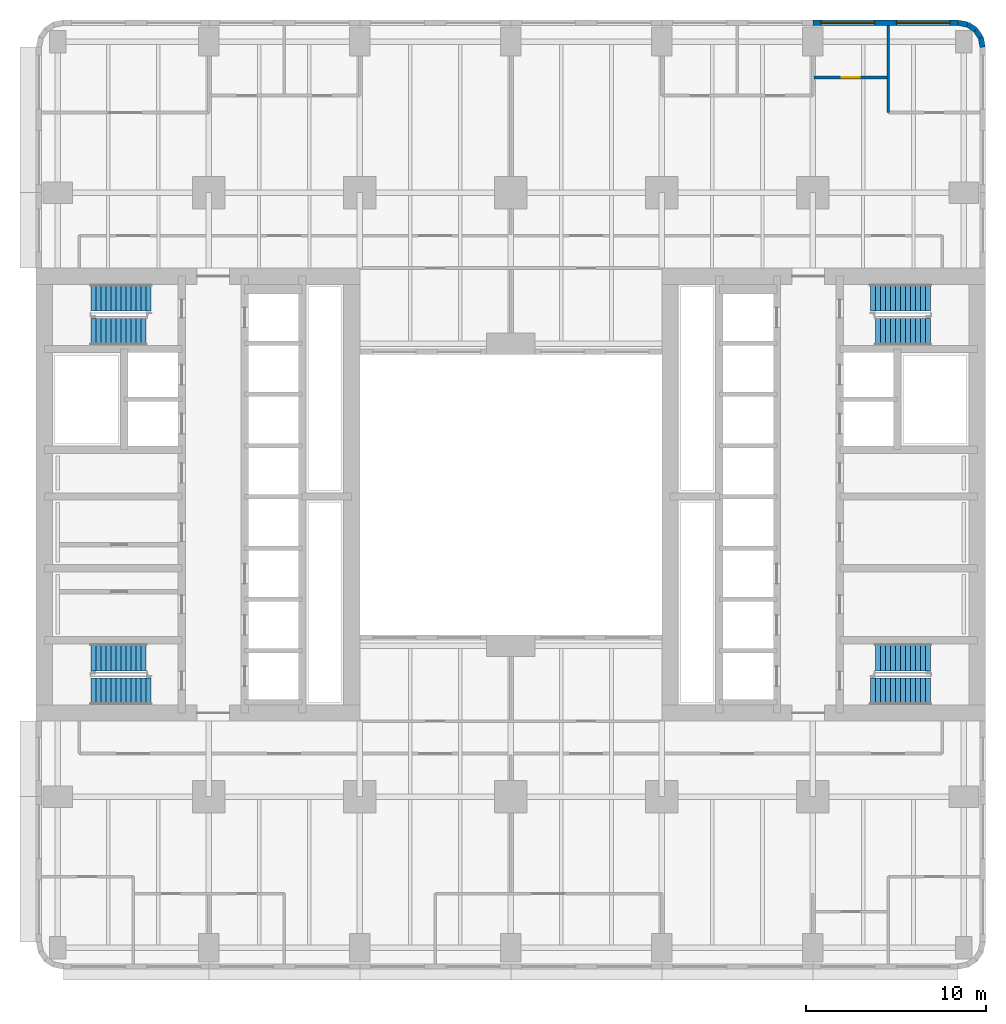
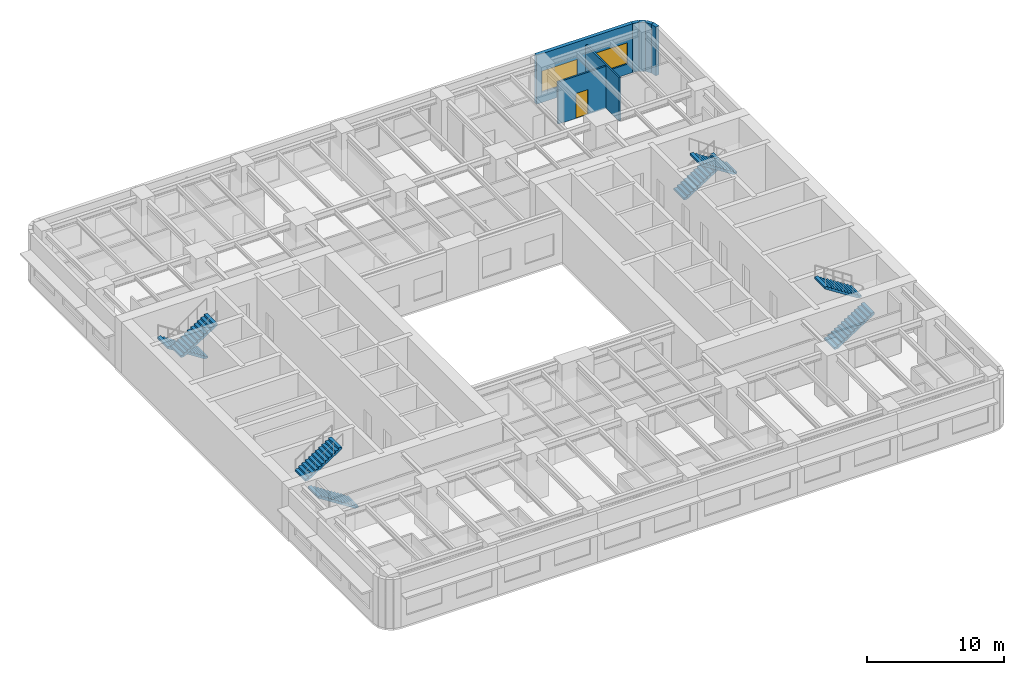
# One storey, part 8 of 12: 8 stair flights, 7 walls, 2 windows, 1 door, 3 openings, 4 elements without a shape of their own.
"""IFC4 building model written with IfcOpenShell, lengths in metres."""

from ifc_helpers import new_model, si_unit, direction, frame, frame_2d, origin, place, context, subcontext, project, spatial, polyline, rectangle, outline, extrude, material, layer, layer_set, type_object, element, fill, aggregate, save


model = new_model("IFC4")

# Units and contexts
model_context = context("Model", 3, precision=1e-05, world=origin(), true_north=direction((0.0, 1.0)))
body_context = subcontext(model_context, "Body", "Model", "MODEL_VIEW")
ifc_project = project(units=[si_unit("LENGTHUNIT", "METRE"), si_unit("AREAUNIT", "SQUARE_METRE"), si_unit("VOLUMEUNIT", "CUBIC_METRE"), si_unit("PLANEANGLEUNIT", "RADIAN"), si_unit("MASSUNIT", "GRAM", prefix="KILO")], contexts=[model_context])

# Site, building, storey
site_placement = place(None, origin())
site = spatial("IfcSite", under=ifc_project, at=site_placement, CompositionType="ELEMENT")
building_placement = place(site_placement, origin())
building = spatial("IfcBuilding", under=site, at=building_placement, Name="Claustro Exchange Tower", CompositionType="ELEMENT")
storey_placement = place(building_placement, frame((0.0, 0.0, 50.39990234375)))
storey = spatial("IfcBuildingStorey", under=building, at=storey_placement, Name="L11", CompositionType="ELEMENT", Elevation=50.39990234375)

# Wall, opening, door
ifc_material_1 = material(Name="Gypsum board on steel studs", Category="steel")
ifc_layer_1 = layer(ifc_material_1, 0.14990234375)
ifc_layer_set_1 = layer_set([ifc_layer_1], Name="Gypsum board on steel studs")
wall_type_1 = type_object("IfcWallType", Name="P1 150 plasterboard partition", PredefinedType="PARTITIONING", material=ifc_layer_set_1)
wall_1_placement = place(storey_placement, frame((42.073974609375, 48.39990234375, 0.0), z_axis=(0.0, 0.0, 1.0), x_axis=(1.0, 0.0, 0.0)))
wall_1 = element("IfcWall", 1, at=wall_1_placement, inside=storey, type_object=wall_type_1, Name="Partition P1 L11", PredefinedType="PARTITIONING", context=body_context, shape_type="SweptSolid", body=[
    extrude(rectangle(XDim=4.052001953125, YDim=0.14990234375, at=frame_2d((2.02587890625, 0.0))), origin(), (0.0, 0.0, 1.0), 3.739990234375),
])
opening_1_placement = place(wall_1_placement, frame((1.52587890625, 0.0, 0.0)))
opening_1 = element("IfcOpeningElement", 2, at=opening_1_placement, cuts=wall_1, Name="Opening D1", PredefinedType="OPENING", context=body_context, shape_type="SweptSolid", body=[
    extrude(rectangle(XDim=1.0, YDim=2.199951171875, at=frame_2d((0.5, 1.10009765625))), frame((0.0, 0.0849609375, 0.0), z_axis=(0.0, -1.0, 0.0), x_axis=(1.0, 0.0, 0.0)), (0.0, 0.0, 1.0), 0.169921875),
])
ifc_material_2 = material(Name="Timber door, oak veneer", Category="wood")
door_type = type_object("IfcDoorType", Name="D1 1000 x 2200 single door", OperationType="SINGLE_SWING_LEFT", PredefinedType="DOOR", material=ifc_material_2)
door_placement = place(opening_1_placement, origin())
door = element("IfcDoor", 3, at=door_placement, inside=storey, type_object=door_type, Name="Door D1 L11", OperationType="SINGLE_SWING_LEFT", OverallHeight=2.199951171875, OverallWidth=1.0, PredefinedType="DOOR", context=body_context, shape_type="SweptSolid", body=[
    extrude(rectangle(XDim=1.0, YDim=2.199951171875, at=frame_2d((0.5, 1.10009765625))), frame((0.0, 0.02490234375, 0.0), z_axis=(0.0, -1.0, 0.0), x_axis=(1.0, 0.0, 0.0)), (0.0, 0.0, 1.0), 0.050048828125),
])
fill(opening_1, door)

# Wall
wall_2_placement = place(storey_placement, frame((46.199951171875, 46.449951171875, 0.0), z_axis=(0.0, 0.0, 1.0), x_axis=(0.0, 1.0, 0.0)))
element("IfcWall", 4, at=wall_2_placement, inside=storey, type_object=wall_type_1, Name="Partition P1 L11", PredefinedType="PARTITIONING", context=body_context, shape_type="SweptSolid", body=[
    extrude(rectangle(XDim=4.85205078125, YDim=0.14990234375, at=frame_2d((2.426025390625, 0.0))), origin(), (0.0, 0.0, 1.0), 3.840087890625),
])

# Wall, openings, windows
ifc_material_3 = material(Name="Concrete HA-40 (C40/50), precast, white cement, acid-etched", Category="concrete")
ifc_layer_2 = layer(ifc_material_3, 0.300048828125)
ifc_layer_set_2 = layer_set([ifc_layer_2], Name="Concrete HA-40 (C40/50), precast, white cement, acid-etched")
wall_type_2 = type_object("IfcWallType", Name="PC1 300 precast concrete pier panel", PredefinedType="SOLIDWALL", material=ifc_layer_set_2)
wall_3_placement = place(storey_placement, frame((42.0, 51.449951171875, 0.0), z_axis=(0.0, 0.0, 1.0), x_axis=(1.0, 0.0, 0.0)))
wall_3 = element("IfcWall", 5, at=wall_3_placement, inside=storey, type_object=wall_type_2, Name="Precast pier panel PC1 L11", PredefinedType="SOLIDWALL", context=body_context, shape_type="SweptSolid", body=[
    extrude(rectangle(XDim=8.085205078125, YDim=0.300048828125, at=frame_2d((4.04248046875, 0.0))), origin(), (0.0, 0.0, 1.0), 4.340087890625),
])
opening_2_placement = place(wall_3_placement, frame((0.442626953125, 0.0, 0.89990234375)))
opening_2 = element("IfcOpeningElement", 6, at=opening_2_placement, cuts=wall_3, Name="Opening W1", PredefinedType="OPENING", context=body_context, shape_type="SweptSolid", body=[
    extrude(rectangle(XDim=3.0, YDim=1.89990234375, at=frame_2d((1.5, 0.949951171875))), frame((0.0, 0.159912109375, 0.0), z_axis=(0.0, -1.0, 0.0), x_axis=(1.0, 0.0, 0.0)), (0.0, 0.0, 1.0), 0.320068359375),
])
opening_3_placement = place(wall_3_placement, frame((4.642578125, 0.0, 0.89990234375)))
opening_3 = element("IfcOpeningElement", 7, at=opening_3_placement, cuts=wall_3, Name="Opening W1", PredefinedType="OPENING", context=body_context, shape_type="SweptSolid", body=[
    extrude(rectangle(XDim=3.0, YDim=1.89990234375, at=frame_2d((1.5, 0.949951171875))), frame((0.0, 0.159912109375, 0.0), z_axis=(0.0, -1.0, 0.0), x_axis=(1.0, 0.0, 0.0)), (0.0, 0.0, 1.0), 0.320068359375),
])
ifc_material_4 = material(Name="Aluminium frame, clear double glazing", Category="aluminium")
window_type = type_object("IfcWindowType", Name="W1 3000 x 1900 window", PartitioningType="SINGLE_PANEL", PredefinedType="WINDOW", material=ifc_material_4)
window_1_placement = place(opening_2_placement, origin())
window_1 = element("IfcWindow", 8, at=window_1_placement, inside=storey, type_object=window_type, Name="Window W1 L11", OverallHeight=1.89990234375, OverallWidth=3.0, PartitioningType="SINGLE_PANEL", PredefinedType="WINDOW", context=body_context, shape_type="SweptSolid", body=[
    extrude(rectangle(XDim=3.0, YDim=1.89990234375, at=frame_2d((1.5, 0.949951171875))), frame((0.0, 0.030029296875, 0.0), z_axis=(0.0, -1.0, 0.0), x_axis=(1.0, 0.0, 0.0)), (0.0, 0.0, 1.0), 0.06005859375),
])
fill(opening_2, window_1)
window_2_placement = place(opening_3_placement, origin())
window_2 = element("IfcWindow", 9, at=window_2_placement, inside=storey, type_object=window_type, Name="Window W1 L11", OverallHeight=1.89990234375, OverallWidth=3.0, PartitioningType="SINGLE_PANEL", PredefinedType="WINDOW", context=body_context, shape_type="SweptSolid", body=[
    extrude(rectangle(XDim=3.0, YDim=1.89990234375, at=frame_2d((1.5, 0.949951171875))), frame((0.0, 0.030029296875, 0.0), z_axis=(0.0, -1.0, 0.0), x_axis=(1.0, 0.0, 0.0)), (0.0, 0.0, 1.0), 0.06005859375),
])
fill(opening_3, window_2)

# Walls
wall_4_placement = place(storey_placement, frame((50.085205078125, 51.449951171875, 0.0), z_axis=(0.0, 0.0, 1.0), x_axis=(0.980788534345, -0.195073962632, 0.0)))
element("IfcWall", 10, at=wall_4_placement, inside=storey, type_object=wall_type_2, Name="Precast pier panel PC1 L11", PredefinedType="SOLIDWALL", context=body_context, shape_type="SweptSolid", body=[
    extrude(rectangle(XDim=0.540771484375, YDim=0.300048828125, at=frame_2d((0.2705078125, 0.0))), origin(), (0.0, 0.0, 1.0), 4.340087890625),
])
for number, where, z_axis, x_axis, name in (
    (11, (50.615478515625, 51.344482421875, 0.0), (0.0, 0.0, 1.0), (0.831478144188, -0.555557463938, 0.0), "Precast pier panel PC1 L11"),
    (12, (51.052490234375, 51.052490234375, 0.0), (0.0, 0.0, 1.0), (0.555557463938, -0.831478144188, 0.0), "Precast pier panel PC1 L11"),
):
    element("IfcWall", number, at=place(storey_placement, frame(where, z_axis=z_axis, x_axis=x_axis)), inside=storey, type_object=wall_type_2, Name=name, PredefinedType="SOLIDWALL", context=body_context, shape_type="SweptSolid", body=[
        extrude(rectangle(XDim=0.525634765625, YDim=0.300048828125, at=frame_2d((0.2626953125, 0.0))), origin(), (0.0, 0.0, 1.0), 4.340087890625),
    ])
wall_5_placement = place(storey_placement, frame((51.344482421875, 50.615478515625, 0.0), z_axis=(0.0, 0.0, 1.0), x_axis=(0.195073962632, -0.980788534345, 0.0)))
element("IfcWall", 13, at=wall_5_placement, inside=storey, type_object=wall_type_2, Name="Precast pier panel PC1 L11", PredefinedType="SOLIDWALL", context=body_context, shape_type="SweptSolid", body=[
    extrude(rectangle(XDim=0.540771484375, YDim=0.300048828125, at=frame_2d((0.2705078125, 0.0))), origin(), (0.0, 0.0, 1.0), 4.340087890625),
])

# Stair, stair flight
ifc_material_5 = material(Name="Concrete HA-30 (C30/37), precast", Category="concrete")
stair_type = type_object("IfcStairType", Name="ST2 half-turn stair, 25 risers of 180", PredefinedType="HALF_TURN_STAIR", material=ifc_material_5)
stair_1_placement = place(storey_placement, origin())
stair_1 = element("IfcStair", 14, at=stair_1_placement, inside=storey, type_object=stair_type, Name="Stair STWA L11", PredefinedType="HALF_TURN_STAIR")
ifc_material_6 = material(Name="Concrete HA-30 (C30/37), precast", Category="concrete")
stair_flight_type_1 = type_object("IfcStairFlightType", Name="SF12B straight flight, 12 risers of 180, 1500 wide", PredefinedType="STRAIGHT", material=ifc_material_6)
stair_flight_1_placement = place(storey_placement, frame((1.840087890625, 16.14990234375, 2.340087890625), z_axis=(0.0, 0.0, 1.0), x_axis=(1.0, 0.0, 0.0)))
stair_flight_1 = element("IfcStairFlight", 15, at=stair_flight_1_placement, type_object=stair_flight_type_1, Name="STWA flight 2", NumberOfRisers=12, NumberOfTreads=11, PredefinedType="STRAIGHT", RiserHeight=0.18, TreadLength=0.28, context=body_context, shape_type="SweptSolid", body=[
    extrude(outline(polyline([(0.0, 0.0), (0.0, 0.179931640625), (0.280029296875, 0.179931640625), (0.280029296875, 0.360107421875), (0.56005859375, 0.360107421875), (0.56005859375, 0.5400390625), (0.840087890625, 0.5400390625), (0.840087890625, 0.719970703125), (1.1201171875, 0.719970703125), (1.1201171875, 0.89990234375), (1.39990234375, 0.89990234375), (1.39990234375, 1.080078125), (1.679931640625, 1.080078125), (1.679931640625, 1.260009765625), (1.9599609375, 1.260009765625), (1.9599609375, 1.43994140625), (2.239990234375, 1.43994140625), (2.239990234375, 1.6201171875), (2.52001953125, 1.6201171875), (2.52001953125, 1.800048828125), (2.800048828125, 1.800048828125), (2.800048828125, 1.97998046875), (3.080078125, 1.97998046875), (3.080078125, 2.159912109375), (3.080078125, 1.8017578125), (0.277099609375, 0.0), (0.0, 0.0)])), frame((0.0, 0.75, 0.0), z_axis=(0.0, -1.0, 0.0), x_axis=(1.0, 0.0, 0.0)), (0.0, 0.0, 1.0), 1.5),
])

stair_2_placement = place(storey_placement, origin())
stair_2 = element("IfcStair", 16, at=stair_2_placement, inside=storey, type_object=stair_type, Name="Stair STWB L11", PredefinedType="HALF_TURN_STAIR")
stair_flight_2_placement = place(storey_placement, frame((1.840087890625, 34.25, 2.340087890625), z_axis=(0.0, 0.0, 1.0), x_axis=(1.0, 0.0, 0.0)))
stair_flight_2 = element("IfcStairFlight", 17, at=stair_flight_2_placement, type_object=stair_flight_type_1, Name="STWB flight 2", NumberOfRisers=12, NumberOfTreads=11, PredefinedType="STRAIGHT", RiserHeight=0.18, TreadLength=0.28, context=body_context, shape_type="SweptSolid", body=[
    extrude(outline(polyline([(0.0, 0.0), (0.0, 0.179931640625), (0.280029296875, 0.179931640625), (0.280029296875, 0.360107421875), (0.56005859375, 0.360107421875), (0.56005859375, 0.5400390625), (0.840087890625, 0.5400390625), (0.840087890625, 0.719970703125), (1.1201171875, 0.719970703125), (1.1201171875, 0.89990234375), (1.39990234375, 0.89990234375), (1.39990234375, 1.080078125), (1.679931640625, 1.080078125), (1.679931640625, 1.260009765625), (1.9599609375, 1.260009765625), (1.9599609375, 1.43994140625), (2.239990234375, 1.43994140625), (2.239990234375, 1.6201171875), (2.52001953125, 1.6201171875), (2.52001953125, 1.800048828125), (2.800048828125, 1.800048828125), (2.800048828125, 1.97998046875), (3.080078125, 1.97998046875), (3.080078125, 2.159912109375), (3.080078125, 1.8017578125), (0.277099609375, 0.0), (0.0, 0.0)])), frame((0.0, 0.75, 0.0), z_axis=(0.0, -1.0, 0.0), x_axis=(1.0, 0.0, 0.0)), (0.0, 0.0, 1.0), 1.5),
])

stair_3_placement = place(storey_placement, origin())
stair_3 = element("IfcStair", 18, at=stair_3_placement, inside=storey, type_object=stair_type, Name="Stair STEA L11", PredefinedType="HALF_TURN_STAIR")
stair_flight_3_placement = place(storey_placement, frame((48.56005859375, 16.14990234375, 2.340087890625), z_axis=(0.0, 0.0, 1.0), x_axis=(-1.0, 0.0, 0.0)))
stair_flight_3 = element("IfcStairFlight", 19, at=stair_flight_3_placement, type_object=stair_flight_type_1, Name="STEA flight 2", NumberOfRisers=12, NumberOfTreads=11, PredefinedType="STRAIGHT", RiserHeight=0.18, TreadLength=0.28, context=body_context, shape_type="SweptSolid", body=[
    extrude(outline(polyline([(0.0, 0.0), (0.0, 0.179931640625), (0.280029296875, 0.179931640625), (0.280029296875, 0.360107421875), (0.56005859375, 0.360107421875), (0.56005859375, 0.5400390625), (0.840087890625, 0.5400390625), (0.840087890625, 0.719970703125), (1.1201171875, 0.719970703125), (1.1201171875, 0.89990234375), (1.39990234375, 0.89990234375), (1.39990234375, 1.080078125), (1.679931640625, 1.080078125), (1.679931640625, 1.260009765625), (1.9599609375, 1.260009765625), (1.9599609375, 1.43994140625), (2.239990234375, 1.43994140625), (2.239990234375, 1.6201171875), (2.52001953125, 1.6201171875), (2.52001953125, 1.800048828125), (2.800048828125, 1.800048828125), (2.800048828125, 1.97998046875), (3.080078125, 1.97998046875), (3.080078125, 2.159912109375), (3.080078125, 1.8017578125), (0.277099609375, 0.0), (0.0, 0.0)])), frame((0.0, 0.75, 0.0), z_axis=(0.0, -1.0, 0.0), x_axis=(1.0, 0.0, 0.0)), (0.0, 0.0, 1.0), 1.5),
])

stair_4_placement = place(storey_placement, origin())
stair_4 = element("IfcStair", 20, at=stair_4_placement, inside=storey, type_object=stair_type, Name="Stair STEB L11", PredefinedType="HALF_TURN_STAIR")
stair_flight_4_placement = place(storey_placement, frame((48.56005859375, 34.25, 2.340087890625), z_axis=(0.0, 0.0, 1.0), x_axis=(-1.0, 0.0, 0.0)))
stair_flight_4 = element("IfcStairFlight", 21, at=stair_flight_4_placement, type_object=stair_flight_type_1, Name="STEB flight 2", NumberOfRisers=12, NumberOfTreads=11, PredefinedType="STRAIGHT", RiserHeight=0.18, TreadLength=0.28, context=body_context, shape_type="SweptSolid", body=[
    extrude(outline(polyline([(0.0, 0.0), (0.0, 0.179931640625), (0.280029296875, 0.179931640625), (0.280029296875, 0.360107421875), (0.56005859375, 0.360107421875), (0.56005859375, 0.5400390625), (0.840087890625, 0.5400390625), (0.840087890625, 0.719970703125), (1.1201171875, 0.719970703125), (1.1201171875, 0.89990234375), (1.39990234375, 0.89990234375), (1.39990234375, 1.080078125), (1.679931640625, 1.080078125), (1.679931640625, 1.260009765625), (1.9599609375, 1.260009765625), (1.9599609375, 1.43994140625), (2.239990234375, 1.43994140625), (2.239990234375, 1.6201171875), (2.52001953125, 1.6201171875), (2.52001953125, 1.800048828125), (2.800048828125, 1.800048828125), (2.800048828125, 1.97998046875), (3.080078125, 1.97998046875), (3.080078125, 2.159912109375), (3.080078125, 1.8017578125), (0.277099609375, 0.0), (0.0, 0.0)])), frame((0.0, 0.75, 0.0), z_axis=(0.0, -1.0, 0.0), x_axis=(1.0, 0.0, 0.0)), (0.0, 0.0, 1.0), 1.5),
])

# Stair flight
ifc_material_7 = material(Name="Concrete HA-30 (C30/37), precast", Category="concrete")
stair_flight_type_2 = type_object("IfcStairFlightType", Name="SF13 straight flight, 13 risers of 180, 1500 wide", PredefinedType="STRAIGHT", material=ifc_material_7)
stair_flight_5_placement = place(storey_placement, frame((5.199951171875, 14.25, 0.0), z_axis=(0.0, 0.0, 1.0), x_axis=(-1.0, 0.0, 0.0)))
stair_flight_5 = element("IfcStairFlight", 22, at=stair_flight_5_placement, type_object=stair_flight_type_2, Name="STWA flight 1", NumberOfRisers=13, NumberOfTreads=12, PredefinedType="STRAIGHT", RiserHeight=0.18, TreadLength=0.28, context=body_context, shape_type="SweptSolid", body=[
    extrude(outline(polyline([(0.0, 0.0), (0.0, 0.179931640625), (0.280029296875, 0.179931640625), (0.280029296875, 0.360107421875), (0.56005859375, 0.360107421875), (0.56005859375, 0.5400390625), (0.840087890625, 0.5400390625), (0.840087890625, 0.719970703125), (1.1201171875, 0.719970703125), (1.1201171875, 0.89990234375), (1.39990234375, 0.89990234375), (1.39990234375, 1.080078125), (1.679931640625, 1.080078125), (1.679931640625, 1.260009765625), (1.9599609375, 1.260009765625), (1.9599609375, 1.43994140625), (2.239990234375, 1.43994140625), (2.239990234375, 1.6201171875), (2.52001953125, 1.6201171875), (2.52001953125, 1.800048828125), (2.800048828125, 1.800048828125), (2.800048828125, 1.97998046875), (3.080078125, 1.97998046875), (3.080078125, 2.159912109375), (3.360107421875, 2.159912109375), (3.360107421875, 2.340087890625), (3.360107421875, 1.981689453125), (0.277099609375, 0.0), (0.0, 0.0)])), frame((0.0, 0.75, 0.0), z_axis=(0.0, -1.0, 0.0), x_axis=(1.0, 0.0, 0.0)), (0.0, 0.0, 1.0), 1.5),
])

aggregate(stair_1, [stair_flight_5, stair_flight_1])

stair_flight_6_placement = place(storey_placement, frame((5.199951171875, 36.14990234375, 0.0), z_axis=(0.0, 0.0, 1.0), x_axis=(-1.0, 0.0, 0.0)))
stair_flight_6 = element("IfcStairFlight", 23, at=stair_flight_6_placement, type_object=stair_flight_type_2, Name="STWB flight 1", NumberOfRisers=13, NumberOfTreads=12, PredefinedType="STRAIGHT", RiserHeight=0.18, TreadLength=0.28, context=body_context, shape_type="SweptSolid", body=[
    extrude(outline(polyline([(0.0, 0.0), (0.0, 0.179931640625), (0.280029296875, 0.179931640625), (0.280029296875, 0.360107421875), (0.56005859375, 0.360107421875), (0.56005859375, 0.5400390625), (0.840087890625, 0.5400390625), (0.840087890625, 0.719970703125), (1.1201171875, 0.719970703125), (1.1201171875, 0.89990234375), (1.39990234375, 0.89990234375), (1.39990234375, 1.080078125), (1.679931640625, 1.080078125), (1.679931640625, 1.260009765625), (1.9599609375, 1.260009765625), (1.9599609375, 1.43994140625), (2.239990234375, 1.43994140625), (2.239990234375, 1.6201171875), (2.52001953125, 1.6201171875), (2.52001953125, 1.800048828125), (2.800048828125, 1.800048828125), (2.800048828125, 1.97998046875), (3.080078125, 1.97998046875), (3.080078125, 2.159912109375), (3.360107421875, 2.159912109375), (3.360107421875, 2.340087890625), (3.360107421875, 1.981689453125), (0.277099609375, 0.0), (0.0, 0.0)])), frame((0.0, 0.75, 0.0), z_axis=(0.0, -1.0, 0.0), x_axis=(1.0, 0.0, 0.0)), (0.0, 0.0, 1.0), 1.5),
])

aggregate(stair_2, [stair_flight_6, stair_flight_2])

stair_flight_7_placement = place(storey_placement, frame((45.199951171875, 14.25, 0.0), z_axis=(0.0, 0.0, 1.0), x_axis=(1.0, 0.0, 0.0)))
stair_flight_7 = element("IfcStairFlight", 24, at=stair_flight_7_placement, type_object=stair_flight_type_2, Name="STEA flight 1", NumberOfRisers=13, NumberOfTreads=12, PredefinedType="STRAIGHT", RiserHeight=0.18, TreadLength=0.28, context=body_context, shape_type="SweptSolid", body=[
    extrude(outline(polyline([(0.0, 0.0), (0.0, 0.179931640625), (0.280029296875, 0.179931640625), (0.280029296875, 0.360107421875), (0.56005859375, 0.360107421875), (0.56005859375, 0.5400390625), (0.840087890625, 0.5400390625), (0.840087890625, 0.719970703125), (1.1201171875, 0.719970703125), (1.1201171875, 0.89990234375), (1.39990234375, 0.89990234375), (1.39990234375, 1.080078125), (1.679931640625, 1.080078125), (1.679931640625, 1.260009765625), (1.9599609375, 1.260009765625), (1.9599609375, 1.43994140625), (2.239990234375, 1.43994140625), (2.239990234375, 1.6201171875), (2.52001953125, 1.6201171875), (2.52001953125, 1.800048828125), (2.800048828125, 1.800048828125), (2.800048828125, 1.97998046875), (3.080078125, 1.97998046875), (3.080078125, 2.159912109375), (3.360107421875, 2.159912109375), (3.360107421875, 2.340087890625), (3.360107421875, 1.981689453125), (0.277099609375, 0.0), (0.0, 0.0)])), frame((0.0, 0.75, 0.0), z_axis=(0.0, -1.0, 0.0), x_axis=(1.0, 0.0, 0.0)), (0.0, 0.0, 1.0), 1.5),
])

aggregate(stair_3, [stair_flight_7, stair_flight_3])

stair_flight_8_placement = place(storey_placement, frame((45.199951171875, 36.14990234375, 0.0), z_axis=(0.0, 0.0, 1.0), x_axis=(1.0, 0.0, 0.0)))
stair_flight_8 = element("IfcStairFlight", 25, at=stair_flight_8_placement, type_object=stair_flight_type_2, Name="STEB flight 1", NumberOfRisers=13, NumberOfTreads=12, PredefinedType="STRAIGHT", RiserHeight=0.18, TreadLength=0.28, context=body_context, shape_type="SweptSolid", body=[
    extrude(outline(polyline([(0.0, 0.0), (0.0, 0.179931640625), (0.280029296875, 0.179931640625), (0.280029296875, 0.360107421875), (0.56005859375, 0.360107421875), (0.56005859375, 0.5400390625), (0.840087890625, 0.5400390625), (0.840087890625, 0.719970703125), (1.1201171875, 0.719970703125), (1.1201171875, 0.89990234375), (1.39990234375, 0.89990234375), (1.39990234375, 1.080078125), (1.679931640625, 1.080078125), (1.679931640625, 1.260009765625), (1.9599609375, 1.260009765625), (1.9599609375, 1.43994140625), (2.239990234375, 1.43994140625), (2.239990234375, 1.6201171875), (2.52001953125, 1.6201171875), (2.52001953125, 1.800048828125), (2.800048828125, 1.800048828125), (2.800048828125, 1.97998046875), (3.080078125, 1.97998046875), (3.080078125, 2.159912109375), (3.360107421875, 2.159912109375), (3.360107421875, 2.340087890625), (3.360107421875, 1.981689453125), (0.277099609375, 0.0), (0.0, 0.0)])), frame((0.0, 0.75, 0.0), z_axis=(0.0, -1.0, 0.0), x_axis=(1.0, 0.0, 0.0)), (0.0, 0.0, 1.0), 1.5),
])

aggregate(stair_4, [stair_flight_8, stair_flight_4])

save(model, "model.ifc")
